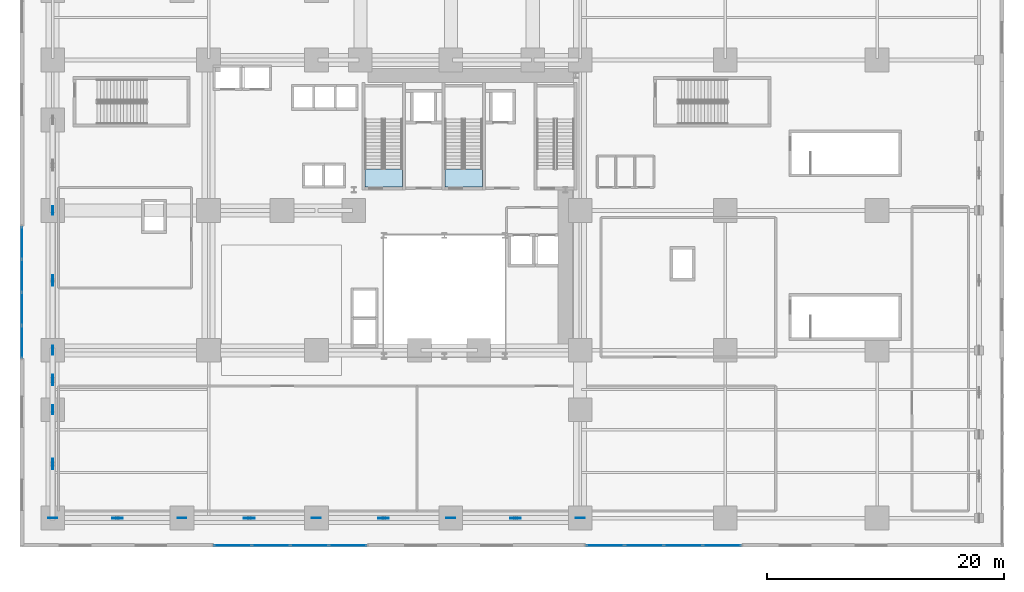
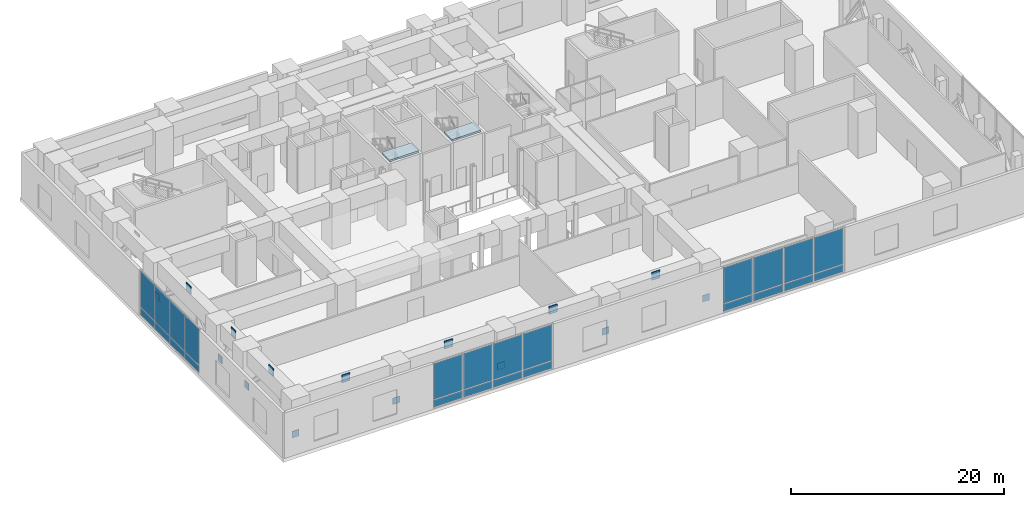
# One storey, part 7 of 17: 39 plates, 2 slabs, 5 elements without a shape of their own.
"""IFC4 building model written with IfcOpenShell, lengths in metres."""

from ifc_helpers import new_model, si_unit, direction, frame, origin, origin_2d, place, context, subcontext, project, spatial, polyline, rectangle, outline, extrude, source, transform, mapped, material, layer, layer_set, type_object, element, aggregate, save


model = new_model("IFC4")

# Units and contexts
model_context = context("Model", 3, precision=1e-05, world=origin(), true_north=direction((0.0, 1.0)))
body_context = subcontext(model_context, "Body", "Model", "MODEL_VIEW")
ifc_project = project(units=[si_unit("LENGTHUNIT", "METRE"), si_unit("AREAUNIT", "SQUARE_METRE"), si_unit("VOLUMEUNIT", "CUBIC_METRE"), si_unit("PLANEANGLEUNIT", "RADIAN"), si_unit("MASSUNIT", "GRAM", prefix="KILO")], contexts=[model_context])

# Site, building, storey
site_placement = place(None, origin())
site = spatial("IfcSite", under=ifc_project, at=site_placement, CompositionType="ELEMENT")
building_placement = place(site_placement, origin())
building = spatial("IfcBuilding", under=site, at=building_placement, Name="Vardaveli Station Tower", CompositionType="ELEMENT")
storey_placement = place(building_placement, frame((0.0, 0.0, 11.39990234375)))
storey = spatial("IfcBuildingStorey", under=building, at=storey_placement, Name="L03", CompositionType="ELEMENT", Elevation=11.39990234375)

# Stair, slab
ifc_material_1 = material(Name="Concrete C40/50", Category="concrete")
stair_type = type_object("IfcStairType", Name="STR-CORE-1500", PredefinedType="HALF_TURN_STAIR", material=ifc_material_1)
stair_1_placement = place(storey_placement, origin())
stair_1 = element("IfcStair", 1, at=stair_1_placement, inside=storey, type_object=stair_type, Name="L03 ST-1", PredefinedType="HALF_TURN_STAIR")
ifc_layer_1 = layer(ifc_material_1, 0.199951171875, Name="Concrete C40/50")
ifc_layer_set_1 = layer_set([ifc_layer_1], Name="Concrete C40/50")
slab_type = type_object("IfcSlabType", Name="SLB-LAND-200", PredefinedType="LANDING", material=ifc_layer_set_1)
slab_1_placement = place(storey_placement, frame((0.0, 0.0, 5.400146484375)))
slab_1 = element("IfcSlab", 2, at=slab_1_placement, type_object=slab_type, Name="ST-1 landing 2", PredefinedType="LANDING", context=body_context, shape_type="SweptSolid", body=[
    extrude(outline(polyline([(32.75, 30.89990234375), (32.75, 32.39990234375), (29.60009765625, 32.39990234375), (29.60009765625, 30.89990234375), (32.75, 30.89990234375)])), origin(), (0.0, 0.0, 1.0), 0.199951171875),
])
aggregate(stair_1, [slab_1])

stair_2_placement = place(storey_placement, origin())
stair_2 = element("IfcStair", 3, at=stair_2_placement, inside=storey, type_object=stair_type, Name="L03 ST-2", PredefinedType="HALF_TURN_STAIR")
slab_2_placement = place(storey_placement, frame((0.0, 0.0, 5.400146484375)))
slab_2 = element("IfcSlab", 4, at=slab_2_placement, type_object=slab_type, Name="ST-2 landing 2", PredefinedType="LANDING", context=body_context, shape_type="SweptSolid", body=[
    extrude(outline(polyline([(39.5, 30.89990234375), (39.5, 32.39990234375), (36.35009765625, 32.39990234375), (36.35009765625, 30.89990234375), (39.5, 30.89990234375)])), origin(), (0.0, 0.0, 1.0), 0.199951171875),
])
aggregate(stair_2, [slab_2])

# Plates
ifc_material_2 = material(Name="Structural steel S460M", Category="steel")
ifc_layer_2 = layer(ifc_material_2, 0.074951171875, Name="Structural steel S460M")
ifc_layer_set_2 = layer_set([ifc_layer_2], Name="Structural steel S460M")
plate_type_1 = type_object("IfcPlateType", Name="PLT-GUSSET-75", PredefinedType="USERDEFINED", material=ifc_layer_set_2)
shared_shape_1 = source(origin(), body_context, "Body", "SweptSolid", [
    extrude(rectangle(XDim=0.89990234375, YDim=0.074951171875, at=origin_2d()), origin(), (0.0, 0.0, 1.0), 0.89990234375),
])
for number, where, z_axis, x_axis, name in (
    (5, (3.25, 7.52490234375, 4.500244140625), (0.0, 0.0, 1.0), (0.0, 1.0, 0.0), "PLT-TN-01"),
    (6, (3.25, 14.60009765625, 4.500244140625), (0.0, 0.0, 1.0), (0.0, 1.0, 0.0), "PLT-TN-02"),
    (7, (3.25, 23.0, 4.500244140625), (0.0, 0.0, 1.0), (0.0, 1.0, 0.0), "PLT-TN-03"),
    (8, (8.705078125, 2.949951171875, 4.500244140625), (0.0, 0.0, 1.0), (1.0, 0.0, 0.0), "PLT-TN-09"),
    (9, (19.830078125, 2.949951171875, 4.500244140625), (0.0, 0.0, 1.0), (1.0, 0.0, 0.0), "PLT-TN-10"),
    (10, (31.169921875, 2.949951171875, 4.500244140625), (0.0, 0.0, 1.0), (1.0, 0.0, 0.0), "PLT-TN-11"),
    (11, (42.294921875, 2.949951171875, 4.500244140625), (0.0, 0.0, 1.0), (1.0, 0.0, 0.0), "PLT-TN-12"),
):
    element("IfcPlate", number, at=place(storey_placement, frame(where, z_axis=z_axis, x_axis=x_axis)), inside=storey, type_object=plate_type_1, Name=name, ObjectType="GUSSET PLATE", PredefinedType="USERDEFINED", context=body_context, shape_type="MappedRepresentation", body=[
        mapped(shared_shape_1, transform((0.0, 0.0, 0.0), scale=1.0)),
    ])
ifc_layer_3 = layer(ifc_material_2, 0.06005859375, Name="Structural steel S460M")
ifc_layer_set_3 = layer_set([ifc_layer_3], Name="Structural steel S460M")
plate_type_2 = type_object("IfcPlateType", Name="PLT-GUSSET-60", PredefinedType="USERDEFINED", material=ifc_layer_set_3)
shared_shape_2 = source(origin(), body_context, "Body", "SweptSolid", [
    extrude(rectangle(XDim=0.75, YDim=0.06005859375, at=origin_2d()), origin(), (0.0, 0.0, 1.0), 0.75),
])
for number, where, z_axis, x_axis, name in (
    (12, (3.25, 2.949951171875, 0.0751953125), (0.0, 0.0, 1.0), (1.0, 0.0, 0.0), "PLT-TNB-01"),
    (13, (3.25, 12.10009765625, 0.0751953125), (0.0, 0.0, 1.0), (0.0, 1.0, 0.0), "PLT-TNB-02"),
    (14, (3.25, 17.10009765625, 0.0751953125), (0.0, 0.0, 1.0), (0.0, 1.0, 0.0), "PLT-TNB-03"),
    (15, (3.25, 28.89990234375, 0.0751953125), (0.0, 0.0, 1.0), (0.0, 1.0, 0.0), "PLT-TNB-04"),
    (16, (14.159912109375, 2.949951171875, 0.0751953125), (0.0, 0.0, 1.0), (1.0, 0.0, 0.0), "PLT-TNB-06"),
    (17, (25.5, 2.949951171875, 0.0751953125), (0.0, 0.0, 1.0), (1.0, 0.0, 0.0), "PLT-TNB-07"),
    (18, (36.840087890625, 2.949951171875, 0.0751953125), (0.0, 0.0, 1.0), (1.0, 0.0, 0.0), "PLT-TNB-08"),
    (19, (47.75, 2.949951171875, 0.0751953125), (0.0, 0.0, 1.0), (1.0, 0.0, 0.0), "PLT-TNB-09"),
):
    element("IfcPlate", number, at=place(storey_placement, frame(where, z_axis=z_axis, x_axis=x_axis)), inside=storey, type_object=plate_type_2, Name=name, ObjectType="GUSSET PLATE", PredefinedType="USERDEFINED", context=body_context, shape_type="MappedRepresentation", body=[
        mapped(shared_shape_2, transform((0.0, 0.0, 0.0), scale=1.0)),
    ])

# Curtain wall, plates
ifc_material_3 = material(Name="Travertine stone and solar-control glass", Category="masonry")
curtain_wall_type = type_object("IfcCurtainWallType", Name="CW-SYS-1", PredefinedType="NOTDEFINED", material=ifc_material_3)
curtain_wall_1_placement = place(storey_placement, origin())
curtain_wall_1 = element("IfcCurtainWall", 20, at=curtain_wall_1_placement, inside=storey, type_object=curtain_wall_type, Name="CW-L03-S2", PredefinedType="NOTDEFINED")
ifc_material_4 = material(Name="Double-glazed low-E solar-control glass", Category="glass")
ifc_layer_4 = layer(ifc_material_4, 0.048095703125, Name="Double-glazed low-E solar-control glass")
ifc_layer_set_4 = layer_set([ifc_layer_4], Name="Double-glazed low-E solar-control glass")
plate_type_3 = type_object("IfcPlateType", Name="CW-SYS-1-PAN", PredefinedType="CURTAIN_PANEL", material=ifc_layer_set_4)
shared_shape_3 = source(origin(), body_context, "Body", "SweptSolid", [
    extrude(rectangle(XDim=3.107421875, YDim=0.048095703125, at=origin_2d()), origin(), (0.0, 0.0, 1.0), 0.8076171875),
])
plate_1_placement = place(storey_placement, frame((18.44873046875, 0.64990234375, 0.094970703125), z_axis=(0.0, 0.0, 1.0), x_axis=(1.0, 0.0, 0.0)))
plate_1 = element("IfcPlate", 21, at=plate_1_placement, type_object=plate_type_3, Name="CW-1 panel 1.1", PredefinedType="CURTAIN_PANEL", context=body_context, shape_type="MappedRepresentation", body=[
    mapped(shared_shape_3, transform((0.0, 0.0, 0.0), scale=1.0)),
])
plate_2_placement = place(storey_placement, frame((28.1513671875, 0.64990234375, 0.094970703125), z_axis=(0.0, 0.0, 1.0), x_axis=(1.0, 0.0, 0.0)))
plate_2 = element("IfcPlate", 22, at=plate_2_placement, type_object=plate_type_3, Name="CW-1 panel 4.1", PredefinedType="CURTAIN_PANEL", context=body_context, shape_type="MappedRepresentation", body=[
    mapped(shared_shape_3, transform((0.0, 0.0, 0.0), scale=1.0)),
])
shared_shape_4 = source(origin(), body_context, "Body", "SweptSolid", [
    extrude(rectangle(XDim=3.155029296875, YDim=0.048095703125, at=origin_2d()), origin(), (0.0, 0.0, 1.0), 0.8076171875),
])
plate_3_placement = place(storey_placement, frame((21.675048828125, 0.64990234375, 0.094970703125), z_axis=(0.0, 0.0, 1.0), x_axis=(1.0, 0.0, 0.0)))
plate_3 = element("IfcPlate", 23, at=plate_3_placement, type_object=plate_type_3, Name="CW-1 panel 2.1", PredefinedType="CURTAIN_PANEL", context=body_context, shape_type="MappedRepresentation", body=[
    mapped(shared_shape_4, transform((0.0, 0.0, 0.0), scale=1.0)),
])
plate_4_placement = place(storey_placement, frame((24.925048828125, 0.64990234375, 0.094970703125), z_axis=(0.0, 0.0, 1.0), x_axis=(1.0, 0.0, 0.0)))
plate_4 = element("IfcPlate", 24, at=plate_4_placement, type_object=plate_type_3, Name="CW-1 panel 3.1", PredefinedType="CURTAIN_PANEL", context=body_context, shape_type="MappedRepresentation", body=[
    mapped(shared_shape_4, transform((0.0, 0.0, 0.0), scale=1.0)),
])

curtain_wall_2_placement = place(storey_placement, origin())
curtain_wall_2 = element("IfcCurtainWall", 25, at=curtain_wall_2_placement, inside=storey, type_object=curtain_wall_type, Name="CW-L03-S4", PredefinedType="NOTDEFINED")
shared_shape_5 = source(origin(), body_context, "Body", "SweptSolid", [
    extrude(rectangle(XDim=3.157470703125, YDim=0.048095703125, at=origin_2d()), origin(), (0.0, 0.0, 1.0), 0.8076171875),
])
plate_5_placement = place(storey_placement, frame((49.873779296875, 0.64990234375, 0.094970703125), z_axis=(0.0, 0.0, 1.0), x_axis=(1.0, 0.0, 0.0)))
plate_5 = element("IfcPlate", 26, at=plate_5_placement, type_object=plate_type_3, Name="CW-1 panel 1.1", PredefinedType="CURTAIN_PANEL", context=body_context, shape_type="MappedRepresentation", body=[
    mapped(shared_shape_5, transform((0.0, 0.0, 0.0), scale=1.0)),
])
plate_6_placement = place(storey_placement, frame((59.726318359375, 0.64990234375, 0.094970703125), z_axis=(0.0, 0.0, 1.0), x_axis=(1.0, 0.0, 0.0)))
plate_6 = element("IfcPlate", 27, at=plate_6_placement, type_object=plate_type_3, Name="CW-1 panel 4.1", PredefinedType="CURTAIN_PANEL", context=body_context, shape_type="MappedRepresentation", body=[
    mapped(shared_shape_5, transform((0.0, 0.0, 0.0), scale=1.0)),
])
shared_shape_6 = source(origin(), body_context, "Body", "SweptSolid", [
    extrude(rectangle(XDim=3.205078125, YDim=0.048095703125, at=origin_2d()), origin(), (0.0, 0.0, 1.0), 0.8076171875),
])
plate_7_placement = place(storey_placement, frame((53.14990234375, 0.64990234375, 0.094970703125), z_axis=(0.0, 0.0, 1.0), x_axis=(1.0, 0.0, 0.0)))
plate_7 = element("IfcPlate", 28, at=plate_7_placement, type_object=plate_type_3, Name="CW-1 panel 2.1", PredefinedType="CURTAIN_PANEL", context=body_context, shape_type="MappedRepresentation", body=[
    mapped(shared_shape_6, transform((0.0, 0.0, 0.0), scale=1.0)),
])
plate_8_placement = place(storey_placement, frame((56.449951171875, 0.64990234375, 0.094970703125), z_axis=(0.0, 0.0, 1.0), x_axis=(1.0, 0.0, 0.0)))
plate_8 = element("IfcPlate", 29, at=plate_8_placement, type_object=plate_type_3, Name="CW-1 panel 3.1", PredefinedType="CURTAIN_PANEL", context=body_context, shape_type="MappedRepresentation", body=[
    mapped(shared_shape_6, transform((0.0, 0.0, 0.0), scale=1.0)),
])

curtain_wall_3_placement = place(storey_placement, origin())
curtain_wall_3 = element("IfcCurtainWall", 30, at=curtain_wall_3_placement, inside=storey, type_object=curtain_wall_type, Name="CW-L03-W2", PredefinedType="NOTDEFINED")
shared_shape_7 = source(origin(), body_context, "Body", "SweptSolid", [
    extrude(rectangle(XDim=2.657470703125, YDim=0.048095703125, at=origin_2d()), origin(), (0.0, 0.0, 1.0), 0.8076171875),
])
plate_9_placement = place(storey_placement, frame((0.64990234375, 26.17626953125, 0.094970703125), z_axis=(0.0, 0.0, 1.0), x_axis=(0.0, -1.0, 0.0)))
plate_9 = element("IfcPlate", 31, at=plate_9_placement, type_object=plate_type_3, Name="CW-1 panel 1.1", PredefinedType="CURTAIN_PANEL", context=body_context, shape_type="MappedRepresentation", body=[
    mapped(shared_shape_7, transform((0.0, 0.0, 0.0), scale=1.0)),
])
plate_10_placement = place(storey_placement, frame((0.64990234375, 17.82373046875, 0.094970703125), z_axis=(0.0, 0.0, 1.0), x_axis=(0.0, -1.0, 0.0)))
plate_10 = element("IfcPlate", 32, at=plate_10_placement, type_object=plate_type_3, Name="CW-1 panel 4.1", PredefinedType="CURTAIN_PANEL", context=body_context, shape_type="MappedRepresentation", body=[
    mapped(shared_shape_7, transform((0.0, 0.0, 0.0), scale=1.0)),
])
shared_shape_8 = source(origin(), body_context, "Body", "SweptSolid", [
    extrude(rectangle(XDim=2.705078125, YDim=0.048095703125, at=origin_2d()), origin(), (0.0, 0.0, 1.0), 0.8076171875),
])
plate_11_placement = place(storey_placement, frame((0.64990234375, 23.39990234375, 0.094970703125), z_axis=(0.0, 0.0, 1.0), x_axis=(0.0, -1.0, 0.0)))
plate_11 = element("IfcPlate", 33, at=plate_11_placement, type_object=plate_type_3, Name="CW-1 panel 2.1", PredefinedType="CURTAIN_PANEL", context=body_context, shape_type="MappedRepresentation", body=[
    mapped(shared_shape_8, transform((0.0, 0.0, 0.0), scale=1.0)),
])
plate_12_placement = place(storey_placement, frame((0.64990234375, 20.60009765625, 0.094970703125), z_axis=(0.0, 0.0, 1.0), x_axis=(0.0, -1.0, 0.0)))
plate_12 = element("IfcPlate", 34, at=plate_12_placement, type_object=plate_type_3, Name="CW-1 panel 3.1", PredefinedType="CURTAIN_PANEL", context=body_context, shape_type="MappedRepresentation", body=[
    mapped(shared_shape_8, transform((0.0, 0.0, 0.0), scale=1.0)),
])

# Plate
shared_shape_9 = source(origin(), body_context, "Body", "SweptSolid", [
    extrude(rectangle(XDim=3.107421875, YDim=0.048095703125, at=origin_2d()), origin(), (0.0, 0.0, 1.0), 4.107421875),
])
plate_13_placement = place(storey_placement, frame((18.44873046875, 0.64990234375, 0.99755859375), z_axis=(0.0, 0.0, 1.0), x_axis=(1.0, 0.0, 0.0)))
plate_13 = element("IfcPlate", 35, at=plate_13_placement, type_object=plate_type_3, Name="CW-1 panel 1.2", PredefinedType="CURTAIN_PANEL", context=body_context, shape_type="MappedRepresentation", body=[
    mapped(shared_shape_9, transform((0.0, 0.0, 0.0), scale=1.0)),
])

plate_14_placement = place(storey_placement, frame((28.1513671875, 0.64990234375, 0.99755859375), z_axis=(0.0, 0.0, 1.0), x_axis=(1.0, 0.0, 0.0)))
plate_14 = element("IfcPlate", 36, at=plate_14_placement, type_object=plate_type_3, Name="CW-1 panel 4.2", PredefinedType="CURTAIN_PANEL", context=body_context, shape_type="MappedRepresentation", body=[
    mapped(shared_shape_9, transform((0.0, 0.0, 0.0), scale=1.0)),
])

shared_shape_10 = source(origin(), body_context, "Body", "SweptSolid", [
    extrude(rectangle(XDim=3.155029296875, YDim=0.048095703125, at=origin_2d()), origin(), (0.0, 0.0, 1.0), 4.107421875),
])
plate_15_placement = place(storey_placement, frame((21.675048828125, 0.64990234375, 0.99755859375), z_axis=(0.0, 0.0, 1.0), x_axis=(1.0, 0.0, 0.0)))
plate_15 = element("IfcPlate", 37, at=plate_15_placement, type_object=plate_type_3, Name="CW-1 panel 2.2", PredefinedType="CURTAIN_PANEL", context=body_context, shape_type="MappedRepresentation", body=[
    mapped(shared_shape_10, transform((0.0, 0.0, 0.0), scale=1.0)),
])

plate_16_placement = place(storey_placement, frame((24.925048828125, 0.64990234375, 0.99755859375), z_axis=(0.0, 0.0, 1.0), x_axis=(1.0, 0.0, 0.0)))
plate_16 = element("IfcPlate", 38, at=plate_16_placement, type_object=plate_type_3, Name="CW-1 panel 3.2", PredefinedType="CURTAIN_PANEL", context=body_context, shape_type="MappedRepresentation", body=[
    mapped(shared_shape_10, transform((0.0, 0.0, 0.0), scale=1.0)),
])

aggregate(curtain_wall_1, [plate_1, plate_13, plate_3, plate_15, plate_4, plate_16, plate_2, plate_14])

shared_shape_11 = source(origin(), body_context, "Body", "SweptSolid", [
    extrude(rectangle(XDim=3.157470703125, YDim=0.048095703125, at=origin_2d()), origin(), (0.0, 0.0, 1.0), 4.107421875),
])
plate_17_placement = place(storey_placement, frame((49.873779296875, 0.64990234375, 0.99755859375), z_axis=(0.0, 0.0, 1.0), x_axis=(1.0, 0.0, 0.0)))
plate_17 = element("IfcPlate", 39, at=plate_17_placement, type_object=plate_type_3, Name="CW-1 panel 1.2", PredefinedType="CURTAIN_PANEL", context=body_context, shape_type="MappedRepresentation", body=[
    mapped(shared_shape_11, transform((0.0, 0.0, 0.0), scale=1.0)),
])

plate_18_placement = place(storey_placement, frame((59.726318359375, 0.64990234375, 0.99755859375), z_axis=(0.0, 0.0, 1.0), x_axis=(1.0, 0.0, 0.0)))
plate_18 = element("IfcPlate", 40, at=plate_18_placement, type_object=plate_type_3, Name="CW-1 panel 4.2", PredefinedType="CURTAIN_PANEL", context=body_context, shape_type="MappedRepresentation", body=[
    mapped(shared_shape_11, transform((0.0, 0.0, 0.0), scale=1.0)),
])

shared_shape_12 = source(origin(), body_context, "Body", "SweptSolid", [
    extrude(rectangle(XDim=3.205078125, YDim=0.048095703125, at=origin_2d()), origin(), (0.0, 0.0, 1.0), 4.107421875),
])
plate_19_placement = place(storey_placement, frame((53.14990234375, 0.64990234375, 0.99755859375), z_axis=(0.0, 0.0, 1.0), x_axis=(1.0, 0.0, 0.0)))
plate_19 = element("IfcPlate", 41, at=plate_19_placement, type_object=plate_type_3, Name="CW-1 panel 2.2", PredefinedType="CURTAIN_PANEL", context=body_context, shape_type="MappedRepresentation", body=[
    mapped(shared_shape_12, transform((0.0, 0.0, 0.0), scale=1.0)),
])

plate_20_placement = place(storey_placement, frame((56.449951171875, 0.64990234375, 0.99755859375), z_axis=(0.0, 0.0, 1.0), x_axis=(1.0, 0.0, 0.0)))
plate_20 = element("IfcPlate", 42, at=plate_20_placement, type_object=plate_type_3, Name="CW-1 panel 3.2", PredefinedType="CURTAIN_PANEL", context=body_context, shape_type="MappedRepresentation", body=[
    mapped(shared_shape_12, transform((0.0, 0.0, 0.0), scale=1.0)),
])

aggregate(curtain_wall_2, [plate_5, plate_17, plate_7, plate_19, plate_8, plate_20, plate_6, plate_18])

shared_shape_13 = source(origin(), body_context, "Body", "SweptSolid", [
    extrude(rectangle(XDim=2.657470703125, YDim=0.048095703125, at=origin_2d()), origin(), (0.0, 0.0, 1.0), 4.107421875),
])
plate_21_placement = place(storey_placement, frame((0.64990234375, 26.17626953125, 0.99755859375), z_axis=(0.0, 0.0, 1.0), x_axis=(0.0, -1.0, 0.0)))
plate_21 = element("IfcPlate", 43, at=plate_21_placement, type_object=plate_type_3, Name="CW-1 panel 1.2", PredefinedType="CURTAIN_PANEL", context=body_context, shape_type="MappedRepresentation", body=[
    mapped(shared_shape_13, transform((0.0, 0.0, 0.0), scale=1.0)),
])

plate_22_placement = place(storey_placement, frame((0.64990234375, 17.82373046875, 0.99755859375), z_axis=(0.0, 0.0, 1.0), x_axis=(0.0, -1.0, 0.0)))
plate_22 = element("IfcPlate", 44, at=plate_22_placement, type_object=plate_type_3, Name="CW-1 panel 4.2", PredefinedType="CURTAIN_PANEL", context=body_context, shape_type="MappedRepresentation", body=[
    mapped(shared_shape_13, transform((0.0, 0.0, 0.0), scale=1.0)),
])

shared_shape_14 = source(origin(), body_context, "Body", "SweptSolid", [
    extrude(rectangle(XDim=2.705078125, YDim=0.048095703125, at=origin_2d()), origin(), (0.0, 0.0, 1.0), 4.107421875),
])
plate_23_placement = place(storey_placement, frame((0.64990234375, 23.39990234375, 0.99755859375), z_axis=(0.0, 0.0, 1.0), x_axis=(0.0, -1.0, 0.0)))
plate_23 = element("IfcPlate", 45, at=plate_23_placement, type_object=plate_type_3, Name="CW-1 panel 2.2", PredefinedType="CURTAIN_PANEL", context=body_context, shape_type="MappedRepresentation", body=[
    mapped(shared_shape_14, transform((0.0, 0.0, 0.0), scale=1.0)),
])

plate_24_placement = place(storey_placement, frame((0.64990234375, 20.60009765625, 0.99755859375), z_axis=(0.0, 0.0, 1.0), x_axis=(0.0, -1.0, 0.0)))
plate_24 = element("IfcPlate", 46, at=plate_24_placement, type_object=plate_type_3, Name="CW-1 panel 3.2", PredefinedType="CURTAIN_PANEL", context=body_context, shape_type="MappedRepresentation", body=[
    mapped(shared_shape_14, transform((0.0, 0.0, 0.0), scale=1.0)),
])

aggregate(curtain_wall_3, [plate_9, plate_21, plate_11, plate_23, plate_12, plate_24, plate_10, plate_22])

save(model, "model.ifc")
